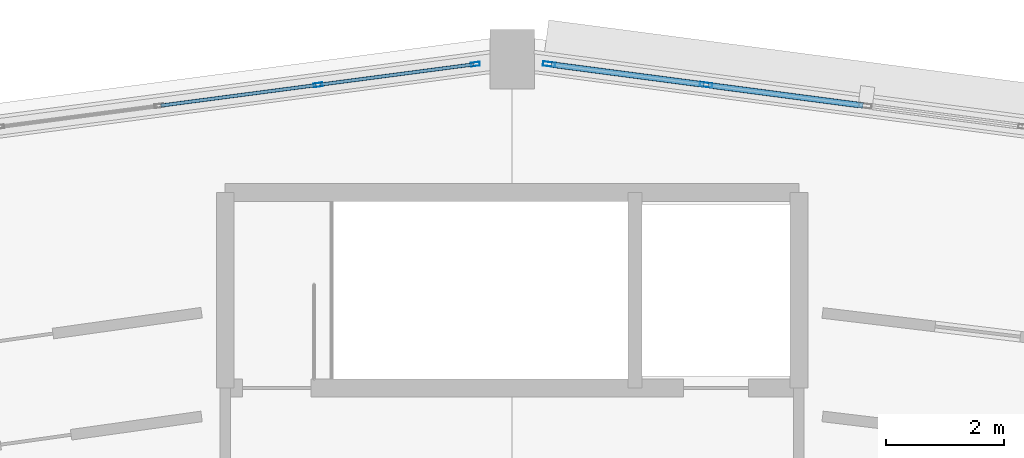
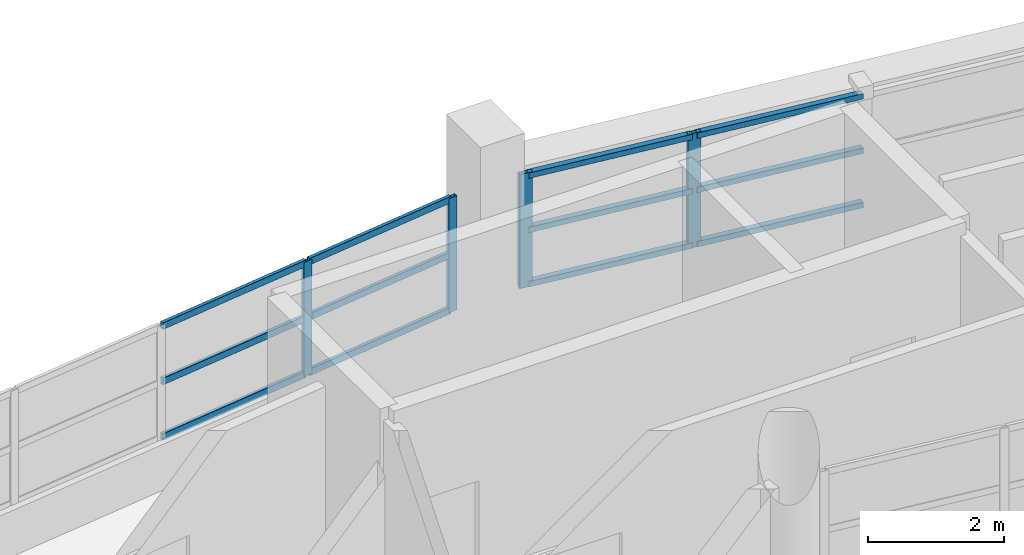
# One storey, part 38 of 53: 16 members, 2 elements without a shape of their own.
"""IFC4 building model written with IfcOpenShell, lengths in metres."""

from ifc_helpers import new_model, si_unit, direction, frame, origin, origin_2d, place, context, subcontext, project, spatial, hollow_rectangle, extrude, material, layer, layer_set, material_profile, profile_set, type_object, element, aggregate, save


model = new_model("IFC4")

# Units and contexts
model_context = context("Model", 3, precision=1e-05, world=origin(), true_north=direction((0.0, 1.0)))
body_context = subcontext(model_context, "Body", "Model", "MODEL_VIEW")
ifc_project = project(units=[si_unit("LENGTHUNIT", "METRE"), si_unit("AREAUNIT", "SQUARE_METRE"), si_unit("VOLUMEUNIT", "CUBIC_METRE"), si_unit("PLANEANGLEUNIT", "RADIAN"), si_unit("MASSUNIT", "GRAM", prefix="KILO")], contexts=[model_context])

# Site, building, storey
site_placement = place(None, origin())
site = spatial("IfcSite", under=ifc_project, at=site_placement, CompositionType="ELEMENT")
building_placement = place(site_placement, origin())
building = spatial("IfcBuilding", under=site, at=building_placement, Name="Vespera Passage Community Centre", CompositionType="ELEMENT")
storey_placement = place(building_placement, frame((0.0, 0.0, 20.39990234375)))
storey = spatial("IfcBuildingStorey", under=building, at=storey_placement, Name="L05", CompositionType="ELEMENT", Elevation=20.39990234375)

# Curtain wall, members
ifc_material_1 = material(Name="Anodized aluminium 6063-T6", Category="aluminium")
ifc_layer_1 = layer(ifc_material_1, 0.159912109375)
ifc_layer_set_1 = layer_set([ifc_layer_1], Name="Anodized aluminium 6063-T6")
curtain_wall_type_1 = type_object("IfcCurtainWallType", Name="CW-75E", PredefinedType="NOTDEFINED", material=ifc_layer_set_1)
curtain_wall_1_placement = place(storey_placement, origin())
curtain_wall_1 = element("IfcCurtainWall", 1, at=curtain_wall_1_placement, inside=storey, type_object=curtain_wall_type_1, Name="V4 L05 Outer Ribbon Curtain Wall 6", PredefinedType="NOTDEFINED")
ifc_material_2 = material(Name="Anodized aluminium 6063-T6", Category="aluminium")
ifc_material_profile_1 = material_profile(ifc_material_2, hollow_rectangle(XDim=0.06494140625, YDim=0.14990234375, WallThickness=0.00390625, InnerFilletRadius=0.001953125, OuterFilletRadius=0.00390625, at=origin_2d()), Name="ALU150X65X4")
ifc_profile_set_1 = profile_set([ifc_material_profile_1], Name="Anodized aluminium 6063-T6")
member_type_1 = type_object("IfcMemberType", Name="MB-CWM-150E", PredefinedType="MULLION", material=ifc_profile_set_1)
member_1_placement = place(storey_placement, frame((74.722900390625, 111.168701171875, 0.820068359375), z_axis=(0.0, 0.0, 1.0), x_axis=(-0.130530818696, 0.991444252276, 0.0)))
member_1 = element("IfcMember", 2, at=member_1_placement, type_object=member_type_1, Name="CW-75E mullion 4", PredefinedType="MULLION", context=body_context, shape_type="SweptSolid", body=[
    extrude(hollow_rectangle(XDim=0.06494140625, YDim=0.14990234375, WallThickness=0.00390625, InnerFilletRadius=0.001953125, OuterFilletRadius=0.00390625, at=origin_2d()), origin(), (0.0, 0.0, 1.0), 2.0458984375),
])
member_2_placement = place(storey_placement, frame((77.379638671875, 111.518310546875, 0.820068359375), z_axis=(0.0, 0.0, 1.0), x_axis=(-0.130530818696, 0.991444252276, 0.0)))
member_2 = element("IfcMember", 3, at=member_2_placement, type_object=member_type_1, Name="CW-75E mullion 5", PredefinedType="MULLION", context=body_context, shape_type="SweptSolid", body=[
    extrude(hollow_rectangle(XDim=0.06494140625, YDim=0.14990234375, WallThickness=0.00390625, InnerFilletRadius=0.001953125, OuterFilletRadius=0.00390625, at=origin_2d()), origin(), (0.0, 0.0, 1.0), 2.0458984375),
])

ifc_material_3 = material(Name="Anodized aluminium 6063-T6", Category="aluminium")
ifc_layer_2 = layer(ifc_material_3, 0.159912109375)
ifc_layer_set_2 = layer_set([ifc_layer_2], Name="Anodized aluminium 6063-T6")
curtain_wall_type_2 = type_object("IfcCurtainWallType", Name="CW-73E", PredefinedType="NOTDEFINED", material=ifc_layer_set_2)
curtain_wall_2_placement = place(storey_placement, origin())
curtain_wall_2 = element("IfcCurtainWall", 4, at=curtain_wall_2_placement, inside=storey, type_object=curtain_wall_type_2, Name="V4 L05 Outer Ribbon Curtain Wall 5", PredefinedType="NOTDEFINED")
ifc_material_4 = material(Name="Anodized aluminium 6063-T6", Category="aluminium")
ifc_material_profile_2 = material_profile(ifc_material_4, hollow_rectangle(XDim=0.074951171875, YDim=0.2099609375, WallThickness=0.0048828125, InnerFilletRadius=0.00244140625, OuterFilletRadius=0.0048828125, at=origin_2d()), Name="ALU210X75X5")
ifc_profile_set_2 = profile_set([ifc_material_profile_2], Name="Anodized aluminium 6063-T6")
member_type_2 = type_object("IfcMemberType", Name="MB-CWM-210E", PredefinedType="MULLION", material=ifc_profile_set_2)
member_3_placement = place(storey_placement, frame((78.62548828125, 111.517822265625, 0.820068359375), z_axis=(0.0, 0.0, 1.0), x_axis=(0.130530818696, 0.991444252276, 0.0)))
member_3 = element("IfcMember", 5, at=member_3_placement, type_object=member_type_2, Name="CW-73E mullion 1", PredefinedType="MULLION", context=body_context, shape_type="SweptSolid", body=[
    extrude(hollow_rectangle(XDim=0.074951171875, YDim=0.2099609375, WallThickness=0.0048828125, InnerFilletRadius=0.00244140625, OuterFilletRadius=0.0048828125, at=origin_2d()), origin(), (0.0, 0.0, 1.0), 2.0458984375),
])
member_4_placement = place(storey_placement, frame((81.277099609375, 111.168701171875, 0.820068359375), z_axis=(0.0, 0.0, 1.0), x_axis=(0.130530818696, 0.991444252276, 0.0)))
member_4 = element("IfcMember", 6, at=member_4_placement, type_object=member_type_2, Name="CW-73E mullion 2", PredefinedType="MULLION", context=body_context, shape_type="SweptSolid", body=[
    extrude(hollow_rectangle(XDim=0.074951171875, YDim=0.2099609375, WallThickness=0.0048828125, InnerFilletRadius=0.00244140625, OuterFilletRadius=0.0048828125, at=origin_2d()), origin(), (0.0, 0.0, 1.0), 2.0458984375),
])
ifc_material_5 = material(Name="Anodized aluminium 6063-T6", Category="aluminium")
ifc_material_profile_3 = material_profile(ifc_material_5, hollow_rectangle(XDim=0.10009765625, YDim=0.10009765625, WallThickness=0.00390625, InnerFilletRadius=0.001953125, OuterFilletRadius=0.00390625, at=origin_2d()), Name="ALU100X100X4")
ifc_profile_set_3 = profile_set([ifc_material_profile_3], Name="Anodized aluminium 6063-T6")
member_type_3 = type_object("IfcMemberType", Name="MB-CWT-100E", PredefinedType="USERDEFINED", material=ifc_profile_set_3)
member_5_placement = place(storey_placement, frame((78.66259765625, 111.5126953125, 0.8701171875), z_axis=(0.991453656162, -0.13045937177, 0.0), x_axis=(0.13045937177, 0.991453656162, 0.0)))
member_5 = element("IfcMember", 7, at=member_5_placement, type_object=member_type_3, Name="CW-73E transom 1.1", ObjectType="TRANSOM", PredefinedType="USERDEFINED", context=body_context, shape_type="SweptSolid", body=[
    extrude(hollow_rectangle(XDim=0.10009765625, YDim=0.10009765625, WallThickness=0.00390625, InnerFilletRadius=0.001953125, OuterFilletRadius=0.00390625, at=origin_2d()), origin(), (0.0, 0.0, 1.0), 2.599365234375),
])
member_6_placement = place(storey_placement, frame((78.66259765625, 111.5126953125, 1.843017578125), z_axis=(0.991453656162, -0.13045937177, 0.0), x_axis=(0.13045937177, 0.991453656162, 0.0)))
member_6 = element("IfcMember", 8, at=member_6_placement, type_object=member_type_3, Name="CW-73E transom 1.2", ObjectType="TRANSOM", PredefinedType="USERDEFINED", context=body_context, shape_type="SweptSolid", body=[
    extrude(hollow_rectangle(XDim=0.10009765625, YDim=0.10009765625, WallThickness=0.00390625, InnerFilletRadius=0.001953125, OuterFilletRadius=0.00390625, at=origin_2d()), origin(), (0.0, 0.0, 1.0), 2.599365234375),
])
member_7_placement = place(storey_placement, frame((78.66259765625, 111.5126953125, 2.81591796875), z_axis=(0.991453656162, -0.13045937177, 0.0), x_axis=(0.13045937177, 0.991453656162, 0.0)))
member_7 = element("IfcMember", 9, at=member_7_placement, type_object=member_type_3, Name="CW-73E transom 1.3", ObjectType="TRANSOM", PredefinedType="USERDEFINED", context=body_context, shape_type="SweptSolid", body=[
    extrude(hollow_rectangle(XDim=0.10009765625, YDim=0.10009765625, WallThickness=0.00390625, InnerFilletRadius=0.001953125, OuterFilletRadius=0.00390625, at=origin_2d()), origin(), (0.0, 0.0, 1.0), 2.599365234375),
])
member_8_placement = place(storey_placement, frame((81.314208984375, 111.163818359375, 0.8701171875), z_axis=(0.991443263023, -0.130538332324, 0.0), x_axis=(0.130538332324, 0.991443263023, 0.0)))
member_8 = element("IfcMember", 10, at=member_8_placement, type_object=member_type_3, Name="CW-73E transom 2.1", ObjectType="TRANSOM", PredefinedType="USERDEFINED", context=body_context, shape_type="SweptSolid", body=[
    extrude(hollow_rectangle(XDim=0.10009765625, YDim=0.10009765625, WallThickness=0.00390625, InnerFilletRadius=0.001953125, OuterFilletRadius=0.00390625, at=origin_2d()), origin(), (0.0, 0.0, 1.0), 2.636962890625),
])
member_9_placement = place(storey_placement, frame((81.314208984375, 111.163818359375, 1.843017578125), z_axis=(0.991443263023, -0.130538332324, 0.0), x_axis=(0.130538332324, 0.991443263023, 0.0)))
member_9 = element("IfcMember", 11, at=member_9_placement, type_object=member_type_3, Name="CW-73E transom 2.2", ObjectType="TRANSOM", PredefinedType="USERDEFINED", context=body_context, shape_type="SweptSolid", body=[
    extrude(hollow_rectangle(XDim=0.10009765625, YDim=0.10009765625, WallThickness=0.00390625, InnerFilletRadius=0.001953125, OuterFilletRadius=0.00390625, at=origin_2d()), origin(), (0.0, 0.0, 1.0), 2.636962890625),
])
member_10_placement = place(storey_placement, frame((81.314208984375, 111.163818359375, 2.81591796875), z_axis=(0.991443263023, -0.130538332324, 0.0), x_axis=(0.130538332324, 0.991443263023, 0.0)))
member_10 = element("IfcMember", 12, at=member_10_placement, type_object=member_type_3, Name="CW-73E transom 2.3", ObjectType="TRANSOM", PredefinedType="USERDEFINED", context=body_context, shape_type="SweptSolid", body=[
    extrude(hollow_rectangle(XDim=0.10009765625, YDim=0.10009765625, WallThickness=0.00390625, InnerFilletRadius=0.001953125, OuterFilletRadius=0.00390625, at=origin_2d()), origin(), (0.0, 0.0, 1.0), 2.636962890625),
])
aggregate(curtain_wall_2, [member_3, member_4, member_5, member_6, member_7, member_8, member_9, member_10])

# Member
ifc_material_6 = material(Name="Anodized aluminium 6063-T6", Category="aluminium")
ifc_material_profile_4 = material_profile(ifc_material_6, hollow_rectangle(XDim=0.06005859375, YDim=0.1201171875, WallThickness=0.00390625, InnerFilletRadius=0.001953125, OuterFilletRadius=0.00390625, at=origin_2d()), Name="ALU120X60X4")
ifc_profile_set_4 = profile_set([ifc_material_profile_4], Name="Anodized aluminium 6063-T6")
member_type_4 = type_object("IfcMemberType", Name="MB-CWT-120E", PredefinedType="USERDEFINED", material=ifc_profile_set_4)
member_11_placement = place(storey_placement, frame((72.06640625, 110.81884765625, 0.85009765625), z_axis=(0.991446445198, 0.130514161313, 0.0), x_axis=(-0.130514161313, 0.991446445198, 0.0)))
member_11 = element("IfcMember", 13, at=member_11_placement, type_object=member_type_4, Name="CW-75E transom 3.1", ObjectType="TRANSOM", PredefinedType="USERDEFINED", context=body_context, shape_type="SweptSolid", body=[
    extrude(hollow_rectangle(XDim=0.06005859375, YDim=0.1201171875, WallThickness=0.00390625, InnerFilletRadius=0.001953125, OuterFilletRadius=0.00390625, at=origin_2d()), origin(), (0.0, 0.0, 1.0), 2.64697265625),
])

member_12_placement = place(storey_placement, frame((72.06640625, 110.81884765625, 1.843017578125), z_axis=(0.991446445198, 0.130514161313, 0.0), x_axis=(-0.130514161313, 0.991446445198, 0.0)))
member_12 = element("IfcMember", 14, at=member_12_placement, type_object=member_type_4, Name="CW-75E transom 3.2", ObjectType="TRANSOM", PredefinedType="USERDEFINED", context=body_context, shape_type="SweptSolid", body=[
    extrude(hollow_rectangle(XDim=0.06005859375, YDim=0.1201171875, WallThickness=0.00390625, InnerFilletRadius=0.001953125, OuterFilletRadius=0.00390625, at=origin_2d()), origin(), (0.0, 0.0, 1.0), 2.64697265625),
])

member_13_placement = place(storey_placement, frame((72.06640625, 110.81884765625, 2.8359375), z_axis=(0.991446445198, 0.130514161313, 0.0), x_axis=(-0.130514161313, 0.991446445198, 0.0)))
member_13 = element("IfcMember", 15, at=member_13_placement, type_object=member_type_4, Name="CW-75E transom 3.3", ObjectType="TRANSOM", PredefinedType="USERDEFINED", context=body_context, shape_type="SweptSolid", body=[
    extrude(hollow_rectangle(XDim=0.06005859375, YDim=0.1201171875, WallThickness=0.00390625, InnerFilletRadius=0.001953125, OuterFilletRadius=0.00390625, at=origin_2d()), origin(), (0.0, 0.0, 1.0), 2.64697265625),
])

member_14_placement = place(storey_placement, frame((74.755126953125, 111.1728515625, 0.85009765625), z_axis=(0.991443486455, 0.130536635342, 0.0), x_axis=(-0.130536635342, 0.991443486455, 0.0)))
member_14 = element("IfcMember", 16, at=member_14_placement, type_object=member_type_4, Name="CW-75E transom 4.1", ObjectType="TRANSOM", PredefinedType="USERDEFINED", context=body_context, shape_type="SweptSolid", body=[
    extrude(hollow_rectangle(XDim=0.06005859375, YDim=0.1201171875, WallThickness=0.00390625, InnerFilletRadius=0.001953125, OuterFilletRadius=0.00390625, at=origin_2d()), origin(), (0.0, 0.0, 1.0), 2.61474609375),
])

member_15_placement = place(storey_placement, frame((74.755126953125, 111.1728515625, 1.843017578125), z_axis=(0.991443486455, 0.130536635342, 0.0), x_axis=(-0.130536635342, 0.991443486455, 0.0)))
member_15 = element("IfcMember", 17, at=member_15_placement, type_object=member_type_4, Name="CW-75E transom 4.2", ObjectType="TRANSOM", PredefinedType="USERDEFINED", context=body_context, shape_type="SweptSolid", body=[
    extrude(hollow_rectangle(XDim=0.06005859375, YDim=0.1201171875, WallThickness=0.00390625, InnerFilletRadius=0.001953125, OuterFilletRadius=0.00390625, at=origin_2d()), origin(), (0.0, 0.0, 1.0), 2.61474609375),
])

member_16_placement = place(storey_placement, frame((74.755126953125, 111.1728515625, 2.8359375), z_axis=(0.991443486455, 0.130536635342, 0.0), x_axis=(-0.130536635342, 0.991443486455, 0.0)))
member_16 = element("IfcMember", 18, at=member_16_placement, type_object=member_type_4, Name="CW-75E transom 4.3", ObjectType="TRANSOM", PredefinedType="USERDEFINED", context=body_context, shape_type="SweptSolid", body=[
    extrude(hollow_rectangle(XDim=0.06005859375, YDim=0.1201171875, WallThickness=0.00390625, InnerFilletRadius=0.001953125, OuterFilletRadius=0.00390625, at=origin_2d()), origin(), (0.0, 0.0, 1.0), 2.61474609375),
])

aggregate(curtain_wall_1, [member_1, member_2, member_11, member_12, member_13, member_14, member_15, member_16])

save(model, "model.ifc")
